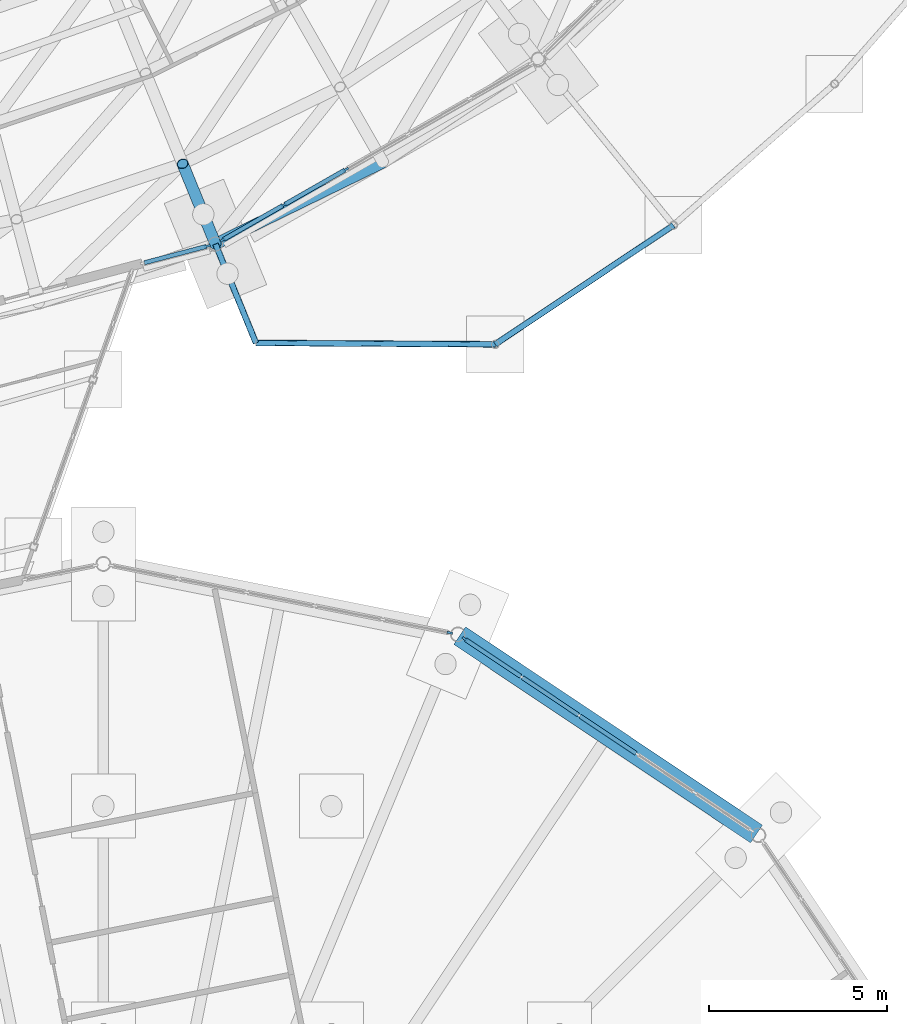
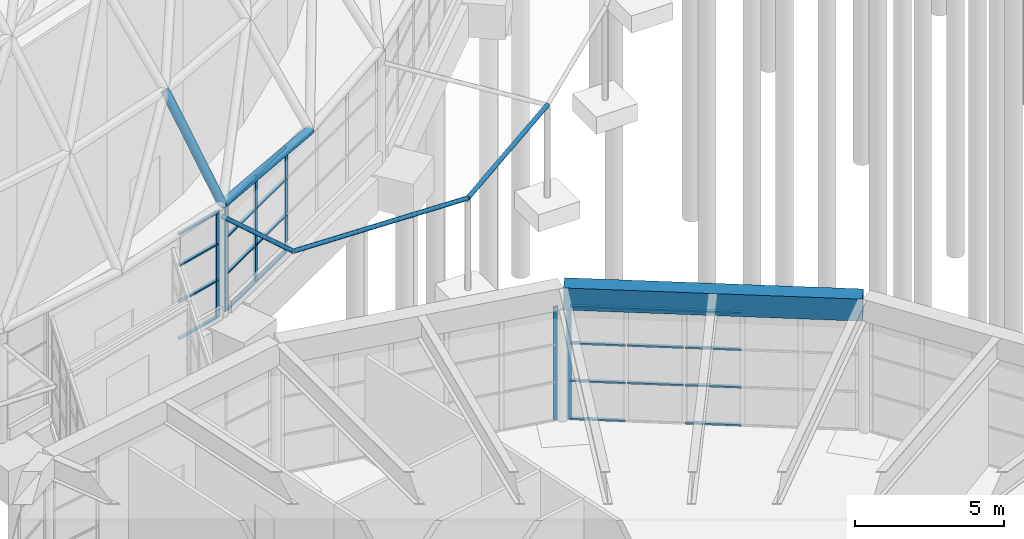
# One storey, part 98 of 226: 34 members, 1 beam, 4 elements without a shape of their own.
"""IFC4 building model written with IfcOpenShell, lengths in metres."""

import ifcopenshell
import ifcopenshell.guid

model = None  # the IFC model being written
_history = None  # IfcOwnerHistory: only IFC2X3 demands one
_inside = {}  # id of a spatial element -> (the spatial element, [elements in it])
_under = {}  # id of a project, library or spatial element -> (it, [spatial elements below it])
_declared = {}  # id of a project -> (the project, [libraries it declares])
_typed = {}  # id of a type object -> (the type object, [elements of that type])
_made_of = {}  # id of a material, layer set ... -> (it, [elements and type objects made of it])


def new_model(schema):
    """Start an empty IFC model of exactly this schema.

    Asked for "IFC4X3", IfcOpenShell would pick the latest addendum, in which some entities
    have other attributes; the version numbers below select the first issue.
    IFC2X3 requires an IfcOwnerHistory on every rooted entity: one is made here for all.
    """
    global model, _history
    if schema == "IFC4X3":
        model = ifcopenshell.file(schema_version=(4, 3, 0, 0))
    else:
        model = ifcopenshell.file(schema=schema)
    _inside.clear()
    _under.clear()
    _declared.clear()
    _typed.clear()
    _made_of.clear()
    _history = None
    if model.schema == "IFC2X3":
        org = make("IfcOrganization", Name="unknown")
        user = make(
            "IfcPersonAndOrganization",
            ThePerson=make("IfcPerson", FamilyName="unknown"),
            TheOrganization=org,
        )
        app = make(
            "IfcApplication",
            ApplicationDeveloper=org,
            Version="unknown",
            ApplicationFullName="unknown",
            ApplicationIdentifier="unknown",
        )
        _history = make(
            "IfcOwnerHistory",
            OwningUser=user,
            OwningApplication=app,
            ChangeAction="ADDED",
            CreationDate=0,
        )
    return model


def make(cls, **values):
    """One entity of the class cls with the attributes given. An attribute that is None is left unset."""
    return model.create_entity(
        cls, **{name: value for name, value in values.items() if value is not None}
    )


def rooted(cls, **values):
    """An entity with a GlobalId (a new one), such as an element, a storey or a relation."""
    return make(cls, GlobalId=ifcopenshell.guid.new(), OwnerHistory=_history, **values)


def si_unit(unit_type, name, prefix=None):
    """IfcSIUnit, for example si_unit("LENGTHUNIT", "METRE", prefix="MILLI")."""
    return make("IfcSIUnit", UnitType=unit_type, Prefix=prefix, Name=name)


def assignment(units):
    """IfcUnitAssignment: the units of a project."""
    return None if units is None else make("IfcUnitAssignment", Units=units)


def point(xyz):
    """IfcCartesianPoint."""
    return None if xyz is None else make("IfcCartesianPoint", Coordinates=xyz)


def direction(xyz):
    """IfcDirection."""
    return None if xyz is None else make("IfcDirection", DirectionRatios=xyz)


def frame(location, z_axis=None, x_axis=None):
    """IfcAxis2Placement3D, a coordinate frame: its origin and axes. An axis left out is left unset."""
    return make(
        "IfcAxis2Placement3D",
        Location=point(location),
        Axis=direction(z_axis),
        RefDirection=direction(x_axis),
    )


def frame_2d(location, x_axis=None):
    """IfcAxis2Placement2D, a coordinate frame in the plane: its origin and x axis."""
    return make(
        "IfcAxis2Placement2D", Location=point(location), RefDirection=direction(x_axis)
    )


def origin():
    """The frame at (0, 0, 0) with its axes left unset."""
    return frame((0.0, 0.0, 0.0))


def origin_2d():
    """The frame at (0, 0) in the plane with its x axis left unset."""
    return frame_2d((0.0, 0.0))


def place(relative_to, where):
    """IfcLocalPlacement: puts the frame where relative to a parent placement (None: the world)."""
    return make(
        "IfcLocalPlacement", PlacementRelTo=relative_to, RelativePlacement=where
    )


def context(
    kind, dimensions, precision=None, world=None, true_north=None, identifier=None
):
    """IfcGeometricRepresentationContext, for example the 3D "Model" context."""
    return make(
        "IfcGeometricRepresentationContext",
        ContextIdentifier=identifier,
        ContextType=kind,
        CoordinateSpaceDimension=dimensions,
        Precision=precision,
        WorldCoordinateSystem=world,
        TrueNorth=true_north,
    )


def subcontext(parent, identifier, kind, view, scale=None):
    """IfcGeometricRepresentationSubContext, for example "Body" below "Model"."""
    return make(
        "IfcGeometricRepresentationSubContext",
        ContextIdentifier=identifier,
        ContextType=kind,
        ParentContext=parent,
        TargetScale=scale,
        TargetView=view,
    )


def project(units=None, contexts=None):
    """IfcProject with its units and contexts."""
    return rooted(
        "IfcProject",
        Name="project",
        RepresentationContexts=contexts,
        UnitsInContext=assignment(units),
    )


def spatial(cls, under=None, at=None, **own):
    """A site, building, storey or space (cls), placed at a placement, below another one or the project."""
    s = rooted(cls, ObjectPlacement=at, **own)
    if under is not None:
        _under.setdefault(under.id(), (under, []))[1].append(s)
    return s


def profile(cls, at=None, kind="AREA", **sizes):
    """A parametric profile (cls). Its sizes go by their IFC names, for example OverallWidth=200.0."""
    return make(cls, ProfileType=kind, Position=at, **sizes)


def rectangle(**sizes):
    """IfcRectangleProfileDef."""
    return profile("IfcRectangleProfileDef", **sizes)


def hollow_circle(**sizes):
    """IfcCircleHollowProfileDef."""
    return profile("IfcCircleHollowProfileDef", **sizes)


def extrude(swept, where, along, depth):
    """IfcExtrudedAreaSolid: the profile swept, set in the frame where, extruded along a direction by depth."""
    return make(
        "IfcExtrudedAreaSolid",
        SweptArea=swept,
        Position=where,
        ExtrudedDirection=direction(along),
        Depth=depth,
    )


def shape(context_of_items, identifier, shape_type, items):
    """IfcShapeRepresentation: the items that make up one representation, for example the "Body"."""
    return make(
        "IfcShapeRepresentation",
        ContextOfItems=context_of_items,
        RepresentationIdentifier=identifier,
        RepresentationType=shape_type,
        Items=items,
    )


def material(Name=None, Category=None):
    """IfcMaterial."""
    return make("IfcMaterial", Name=Name, Category=Category)


def material_profile(
    of_material, cross_section, Name=None, Category=None, Priority=None
):
    """IfcMaterialProfile: a cross section and its material."""
    return make(
        "IfcMaterialProfile",
        Name=Name,
        Material=of_material,
        Profile=cross_section,
        Priority=Priority,
        Category=Category,
    )


def profile_set(profiles, Name=None, composite=None):
    """IfcMaterialProfileSet."""
    return make(
        "IfcMaterialProfileSet",
        Name=Name,
        MaterialProfiles=profiles,
        CompositeProfile=composite,
    )


def made_of(thing, what):
    """Note that an element or type object is made of a material, layer set ...; save() writes the relation."""
    if what is not None:
        _made_of.setdefault(what.id(), (what, []))[1].append(thing)
    return thing


def type_object(cls, material=None, **own):
    """A type object (cls), such as IfcWallType, which elements share."""
    return made_of(rooted(cls, **own), material)


def element(
    cls,
    number,
    at=None,
    inside=None,
    cuts=None,
    type_object=None,
    material=None,
    context=None,
    identifier="Body",
    shape_type=None,
    held_by="IfcProductDefinitionShape",
    body=None,
    shapes=None,
    **own,
):
    """One element of the class cls, such as IfcWall. Its Tag is "e" and its number.

    at: its placement. inside: the storey or other place that contains it. cuts: it is an
    opening in that element (IfcRelVoidsElement). A single representation is given by context,
    identifier, shape_type and body (its items); several are given by shapes. held_by: the class
    of the entity that holds the representations. save() writes the other relations.
    """
    e = rooted(cls, Tag="e%d" % number, ObjectPlacement=at, **own)
    if body is not None:
        shapes = [shape(context, identifier, shape_type, body)]
    if shapes is not None:
        e.Representation = make(held_by, Representations=shapes)
    if inside is not None:
        _inside.setdefault(inside.id(), (inside, []))[1].append(e)
    if cuts is not None:
        rooted(
            "IfcRelVoidsElement", RelatingBuildingElement=cuts, RelatedOpeningElement=e
        )
    if type_object is not None:
        _typed.setdefault(type_object.id(), (type_object, []))[1].append(e)
    return made_of(e, material)


def aggregate(whole, parts):
    """IfcRelAggregates: a whole, such as a stair, and the parts it consists of."""
    return rooted("IfcRelAggregates", RelatingObject=whole, RelatedObjects=parts)


def save(model, path):
    """Write the relations noted so far, then the file.

    IfcRelAggregates (storeys below a building ...), IfcRelContainedInSpatialStructure (elements
    in a storey), IfcRelDefinesByType, IfcRelAssociatesMaterial and IfcRelDeclares: one each for
    every whole, place, type object, material and project.
    """
    for whole, parts in _under.values():
        aggregate(whole, parts)
    for where, things in _inside.values():
        rooted(
            "IfcRelContainedInSpatialStructure",
            RelatedElements=things,
            RelatingStructure=where,
        )
    for kind, things in _typed.values():
        rooted("IfcRelDefinesByType", RelatedObjects=things, RelatingType=kind)
    for what, things in _made_of.values():
        rooted("IfcRelAssociatesMaterial", RelatedObjects=things, RelatingMaterial=what)
    for by, libraries in _declared.values():
        rooted("IfcRelDeclares", RelatingContext=by, RelatedDefinitions=libraries)
    model.write(path)


model = new_model("IFC4")

# Units and contexts
model_context = context("Model", 3, precision=1e-05, world=origin(), true_north=direction((0.0, 1.0)))
body_context = subcontext(model_context, "Body", "Model", "MODEL_VIEW")
ifc_project = project(units=[si_unit("LENGTHUNIT", "METRE"), si_unit("AREAUNIT", "SQUARE_METRE"), si_unit("VOLUMEUNIT", "CUBIC_METRE"), si_unit("PLANEANGLEUNIT", "RADIAN"), si_unit("MASSUNIT", "GRAM", prefix="KILO")], contexts=[model_context])

# Site, building, storey
site_placement = place(None, origin())
site = spatial("IfcSite", under=ifc_project, at=site_placement, CompositionType="ELEMENT")
building_placement = place(site_placement, origin())
building = spatial("IfcBuilding", under=site, at=building_placement, Name="Ceibo Conservatory and Research Tower", CompositionType="ELEMENT")
storey_placement = place(building_placement, origin())
storey = spatial("IfcBuildingStorey", under=building, at=storey_placement, Name="L00", CompositionType="ELEMENT", Elevation=0.0)

# Members
ifc_material_1 = material(Name="Steel ASTM A500 Gr C", Category="steel")
ifc_material_profile_1 = material_profile(ifc_material_1, hollow_circle(Radius=0.084228515625, WallThickness=0.007080078125, at=origin_2d()), Name="CHS 168.3x7.11")
ifc_profile_set_1 = profile_set([ifc_material_profile_1], Name="Steel ASTM A500 Gr C")
member_type_1 = type_object("IfcMemberType", Name="CHS 168.3x7.11", PredefinedType="NOTDEFINED", material=ifc_profile_set_1)
member_1_placement = place(storey_placement, frame((171.14599609375, 70.978271484375, 4.0), z_axis=(0.378270157158, -0.924579088193, -0.045444448281), x_axis=(0.925535288892, 0.378661364567, 0.0)))
element("IfcMember", 1, at=member_1_placement, inside=storey, type_object=member_type_1, Name="Brim brace bracket A-BK20", PredefinedType="BRACE", context=body_context, shape_type="SweptSolid", body=[
    extrude(hollow_circle(Radius=0.084228515625, WallThickness=0.007080078125, at=origin_2d()), origin(), (0.0, 0.0, 1.0), 3.003173828125),
])
member_2_placement = place(storey_placement, frame((172.281982421875, 68.20166015625, 3.863525390625), z_axis=(0.999714640549, -0.005776597298, -0.023179050793), x_axis=(0.005778149715, 0.999983306354, 0.0)))
element("IfcMember", 2, at=member_2_placement, inside=storey, type_object=member_type_1, Name="Brim tip ring A-TR22", PredefinedType="CHORD", context=body_context, shape_type="SweptSolid", body=[
    extrude(hollow_circle(Radius=0.084228515625, WallThickness=0.007080078125, at=origin_2d()), origin(), (0.0, 0.0, 1.0), 6.719970703125),
])
member_3_placement = place(storey_placement, frame((179.0, 68.162841796875, 3.707763671875), z_axis=(0.831452532563, 0.555586547354, 0.003205385032), x_axis=(-0.555589401562, 0.831456803973, 0.0)))
element("IfcMember", 3, at=member_3_placement, inside=storey, type_object=member_type_1, Name="Brim tip ring A-TR23", PredefinedType="CHORD", context=body_context, shape_type="SweptSolid", body=[
    extrude(hollow_circle(Radius=0.084228515625, WallThickness=0.007080078125, at=origin_2d()), origin(), (0.0, 0.0, 1.0), 6.01708984375),
])
ifc_material_profile_2 = material_profile(ifc_material_1, hollow_circle(Radius=0.161865234375, WallThickness=0.01416015625, at=origin_2d()), Name="CHS 323.9x14.27")
ifc_profile_set_2 = profile_set([ifc_material_profile_2], Name="Steel ASTM A500 Gr C")
member_type_2 = type_object("IfcMemberType", Name="CHS 323.9x14.27", PredefinedType="NOTDEFINED", material=ifc_profile_set_2)
member_4_placement = place(storey_placement, frame((171.14599609375, 70.97802734375, 4.5), z_axis=(-0.211463901596, 0.517011318733, 0.829446993257), x_axis=(-0.925572506321, -0.378570383868, 0.0)))
element("IfcMember", 4, at=member_4_placement, inside=storey, type_object=member_type_2, Name="Gridshell member A-M39-01", PredefinedType="RAFTER", context=body_context, shape_type="SweptSolid", body=[
    extrude(hollow_circle(Radius=0.161865234375, WallThickness=0.01416015625, at=origin_2d()), origin(), (0.0, 0.0, 1.0), 4.359375),
])
ifc_material_2 = material(Name="Steel S355J2H", Category="steel")
ifc_material_profile_3 = material_profile(ifc_material_2, hollow_circle(Radius=0.161865234375, WallThickness=0.025390625, at=origin_2d()), Name="CHS 323.9x25.40")
ifc_profile_set_3 = profile_set([ifc_material_profile_3], Name="Steel S355J2H")
member_type_3 = type_object("IfcMemberType", Name="CHS 323.9x25.40", PredefinedType="NOTDEFINED", material=ifc_profile_set_3)
member_5_placement = place(storey_placement, frame((171.14599609375, 70.97802734375, 4.5), z_axis=(0.898788174479, 0.4383831856, 0.0), x_axis=(-0.4383831856, 0.898788174479, 0.0)))
element("IfcMember", 5, at=member_5_placement, inside=storey, type_object=member_type_3, Name="Gridshell member A-C01-39", PredefinedType="CHORD", context=body_context, shape_type="SweptSolid", body=[
    extrude(hollow_circle(Radius=0.161865234375, WallThickness=0.025390625, at=origin_2d()), origin(), (0.0, 0.0, 1.0), 5.232666015625),
])

# Curtain wall, member
ifc_material_3 = material(Name="Aluminium and glass", Category="aluminium")
curtain_wall_type_1 = type_object("IfcCurtainWallType", Name="Drum curtain wall", PredefinedType="NOTDEFINED", material=ifc_material_3)
curtain_wall_1_placement = place(storey_placement, origin())
curtain_wall_1 = element("IfcCurtainWall", 6, at=curtain_wall_1_placement, inside=storey, type_object=curtain_wall_type_1, Name="Drum curtain wall A-CW19E", PredefinedType="NOTDEFINED")
ifc_material_4 = material(Name="Aluminium", Category="aluminium")
ifc_material_profile_4 = material_profile(ifc_material_4, rectangle(XDim=0.06005859375, YDim=0.159912109375, at=origin_2d()), Name="AL 60x160")
ifc_profile_set_4 = profile_set([ifc_material_profile_4], Name="Aluminium")
member_type_4 = type_object("IfcMemberType", Name="Drum mullion 60x160", PredefinedType="MULLION", material=ifc_profile_set_4)
member_6_placement = place(storey_placement, frame((170.92041015625, 70.9189453125, 0.0), z_axis=(0.0, 0.0, 1.0), x_axis=(-0.254601962062, 0.967045935266, 0.0)))
member_6 = element("IfcMember", 7, at=member_6_placement, type_object=member_type_4, Name="A-CW19E mullion 2", PredefinedType="MULLION", context=body_context, shape_type="SweptSolid", body=[
    extrude(rectangle(XDim=0.06005859375, YDim=0.159912109375, at=origin_2d()), origin(), (0.0, 0.0, 1.0), 4.338134765625),
])

# Curtain wall, members
curtain_wall_2_placement = place(storey_placement, origin())
curtain_wall_2 = element("IfcCurtainWall", 8, at=curtain_wall_2_placement, inside=storey, type_object=curtain_wall_type_1, Name="Drum curtain wall A-CW20", PredefinedType="NOTDEFINED")
member_7_placement = place(storey_placement, frame((171.348388671875, 71.093994140625, 0.0), z_axis=(0.0, 0.0, 1.0), x_axis=(-0.49621649228, 0.868198821002, 0.0)))
member_7 = element("IfcMember", 9, at=member_7_placement, type_object=member_type_4, Name="A-CW20 mullion 1", PredefinedType="MULLION", context=body_context, shape_type="SweptSolid", body=[
    extrude(rectangle(XDim=0.06005859375, YDim=0.159912109375, at=origin_2d()), origin(), (0.0, 0.0, 1.0), 4.338134765625),
])
member_8_placement = place(storey_placement, frame((173.06494140625, 72.0751953125, 0.0), z_axis=(0.0, 0.0, 1.0), x_axis=(-0.49621649228, 0.868198821002, 0.0)))
member_8 = element("IfcMember", 10, at=member_8_placement, type_object=member_type_4, Name="A-CW20 mullion 2", PredefinedType="MULLION", context=body_context, shape_type="SweptSolid", body=[
    extrude(rectangle(XDim=0.06005859375, YDim=0.159912109375, at=origin_2d()), origin(), (0.0, 0.0, 1.0), 4.338134765625),
])
member_9_placement = place(storey_placement, frame((174.8076171875, 73.071044921875, 0.0), z_axis=(0.0, 0.0, 1.0), x_axis=(-0.49621649228, 0.868198821002, 0.0)))
member_9 = element("IfcMember", 11, at=member_9_placement, type_object=member_type_4, Name="A-CW20 mullion 3", PredefinedType="MULLION", context=body_context, shape_type="SweptSolid", body=[
    extrude(rectangle(XDim=0.06005859375, YDim=0.159912109375, at=origin_2d()), origin(), (0.0, 0.0, 1.0), 4.338134765625),
])

# Member
ifc_material_profile_5 = material_profile(ifc_material_4, rectangle(XDim=0.1201171875, YDim=0.06005859375, at=origin_2d()), Name="AL 60x120")
ifc_profile_set_5 = profile_set([ifc_material_profile_5], Name="Aluminium")
member_type_5 = type_object("IfcMemberType", Name="Drum transom 60x120", PredefinedType="USERDEFINED", material=ifc_profile_set_5)
member_10_placement = place(storey_placement, frame((169.1484375, 70.452392578125, 0.030029296875), z_axis=(0.967030657146, 0.254659985353, 0.0), x_axis=(-0.254659985353, 0.967030657146, 0.0)))
member_10 = element("IfcMember", 12, at=member_10_placement, type_object=member_type_5, Name="A-CW19E transom 1.1", ObjectType="TRANSOM", PredefinedType="USERDEFINED", context=body_context, shape_type="SweptSolid", body=[
    extrude(rectangle(XDim=0.1201171875, YDim=0.06005859375, at=origin_2d()), origin(), (0.0, 0.0, 1.0), 1.80224609375),
])

member_11_placement = place(storey_placement, frame((169.1484375, 70.452392578125, 1.530029296875), z_axis=(0.967030657146, 0.254659985353, 0.0), x_axis=(-0.254659985353, 0.967030657146, 0.0)))
member_11 = element("IfcMember", 13, at=member_11_placement, type_object=member_type_5, Name="A-CW19E transom 1.2", ObjectType="TRANSOM", PredefinedType="USERDEFINED", context=body_context, shape_type="SweptSolid", body=[
    extrude(rectangle(XDim=0.1201171875, YDim=0.06005859375, at=origin_2d()), origin(), (0.0, 0.0, 1.0), 1.80224609375),
])

member_12_placement = place(storey_placement, frame((169.1484375, 70.452392578125, 3.014892578125), z_axis=(0.967030657146, 0.254659985353, 0.0), x_axis=(-0.254659985353, 0.967030657146, 0.0)))
member_12 = element("IfcMember", 14, at=member_12_placement, type_object=member_type_5, Name="A-CW19E transom 1.3", ObjectType="TRANSOM", PredefinedType="USERDEFINED", context=body_context, shape_type="SweptSolid", body=[
    extrude(rectangle(XDim=0.1201171875, YDim=0.06005859375, at=origin_2d()), origin(), (0.0, 0.0, 1.0), 1.80224609375),
])

member_13_placement = place(storey_placement, frame((169.1484375, 70.452392578125, 4.30810546875), z_axis=(0.967030657146, 0.254659985353, 0.0), x_axis=(-0.254659985353, 0.967030657146, 0.0)))
member_13 = element("IfcMember", 15, at=member_13_placement, type_object=member_type_5, Name="A-CW19E transom 1.4", ObjectType="TRANSOM", PredefinedType="USERDEFINED", context=body_context, shape_type="SweptSolid", body=[
    extrude(rectangle(XDim=0.1201171875, YDim=0.06005859375, at=origin_2d()), origin(), (0.0, 0.0, 1.0), 1.80224609375),
])

aggregate(curtain_wall_1, [member_6, member_10, member_11, member_12, member_13])

member_14_placement = place(storey_placement, frame((171.37451171875, 71.10888671875, 0.030029296875), z_axis=(0.868156921675, 0.496289793717, 0.0), x_axis=(-0.496289793717, 0.868156921675, 0.0)))
member_14 = element("IfcMember", 16, at=member_14_placement, type_object=member_type_5, Name="A-CW20 transom 1.1", ObjectType="TRANSOM", PredefinedType="USERDEFINED", context=body_context, shape_type="SweptSolid", body=[
    extrude(rectangle(XDim=0.1201171875, YDim=0.06005859375, at=origin_2d()), origin(), (0.0, 0.0, 1.0), 1.9169921875),
])

member_15_placement = place(storey_placement, frame((171.37451171875, 71.10888671875, 1.530029296875), z_axis=(0.868156921675, 0.496289793717, 0.0), x_axis=(-0.496289793717, 0.868156921675, 0.0)))
member_15 = element("IfcMember", 17, at=member_15_placement, type_object=member_type_5, Name="A-CW20 transom 1.2", ObjectType="TRANSOM", PredefinedType="USERDEFINED", context=body_context, shape_type="SweptSolid", body=[
    extrude(rectangle(XDim=0.1201171875, YDim=0.06005859375, at=origin_2d()), origin(), (0.0, 0.0, 1.0), 1.9169921875),
])

member_16_placement = place(storey_placement, frame((171.37451171875, 71.10888671875, 3.014892578125), z_axis=(0.868156921675, 0.496289793717, 0.0), x_axis=(-0.496289793717, 0.868156921675, 0.0)))
member_16 = element("IfcMember", 18, at=member_16_placement, type_object=member_type_5, Name="A-CW20 transom 1.3", ObjectType="TRANSOM", PredefinedType="USERDEFINED", context=body_context, shape_type="SweptSolid", body=[
    extrude(rectangle(XDim=0.1201171875, YDim=0.06005859375, at=origin_2d()), origin(), (0.0, 0.0, 1.0), 1.9169921875),
])

member_17_placement = place(storey_placement, frame((171.37451171875, 71.10888671875, 4.30810546875), z_axis=(0.868156921675, 0.496289793717, 0.0), x_axis=(-0.496289793717, 0.868156921675, 0.0)))
member_17 = element("IfcMember", 19, at=member_17_placement, type_object=member_type_5, Name="A-CW20 transom 1.4", ObjectType="TRANSOM", PredefinedType="USERDEFINED", context=body_context, shape_type="SweptSolid", body=[
    extrude(rectangle(XDim=0.1201171875, YDim=0.06005859375, at=origin_2d()), origin(), (0.0, 0.0, 1.0), 1.9169921875),
])

member_18_placement = place(storey_placement, frame((173.091064453125, 72.090087890625, 0.030029296875), z_axis=(0.868165971604, 0.496273962393, 0.0), x_axis=(-0.496273962393, 0.868165971604, 0.0)))
member_18 = element("IfcMember", 20, at=member_18_placement, type_object=member_type_5, Name="A-CW20 transom 2.1", ObjectType="TRANSOM", PredefinedType="USERDEFINED", context=body_context, shape_type="SweptSolid", body=[
    extrude(rectangle(XDim=0.1201171875, YDim=0.06005859375, at=origin_2d()), origin(), (0.0, 0.0, 1.0), 1.947021484375),
])

member_19_placement = place(storey_placement, frame((173.091064453125, 72.090087890625, 1.530029296875), z_axis=(0.868165971604, 0.496273962393, 0.0), x_axis=(-0.496273962393, 0.868165971604, 0.0)))
member_19 = element("IfcMember", 21, at=member_19_placement, type_object=member_type_5, Name="A-CW20 transom 2.2", ObjectType="TRANSOM", PredefinedType="USERDEFINED", context=body_context, shape_type="SweptSolid", body=[
    extrude(rectangle(XDim=0.1201171875, YDim=0.06005859375, at=origin_2d()), origin(), (0.0, 0.0, 1.0), 1.947021484375),
])

member_20_placement = place(storey_placement, frame((173.091064453125, 72.090087890625, 3.014892578125), z_axis=(0.868165971604, 0.496273962393, 0.0), x_axis=(-0.496273962393, 0.868165971604, 0.0)))
member_20 = element("IfcMember", 22, at=member_20_placement, type_object=member_type_5, Name="A-CW20 transom 2.3", ObjectType="TRANSOM", PredefinedType="USERDEFINED", context=body_context, shape_type="SweptSolid", body=[
    extrude(rectangle(XDim=0.1201171875, YDim=0.06005859375, at=origin_2d()), origin(), (0.0, 0.0, 1.0), 1.947021484375),
])

member_21_placement = place(storey_placement, frame((173.091064453125, 72.090087890625, 4.30810546875), z_axis=(0.868165971604, 0.496273962393, 0.0), x_axis=(-0.496273962393, 0.868165971604, 0.0)))
member_21 = element("IfcMember", 23, at=member_21_placement, type_object=member_type_5, Name="A-CW20 transom 2.4", ObjectType="TRANSOM", PredefinedType="USERDEFINED", context=body_context, shape_type="SweptSolid", body=[
    extrude(rectangle(XDim=0.1201171875, YDim=0.06005859375, at=origin_2d()), origin(), (0.0, 0.0, 1.0), 1.947021484375),
])

aggregate(curtain_wall_2, [member_7, member_8, member_9, member_14, member_15, member_16, member_17, member_18, member_19, member_20, member_21])

# Curtain wall, member
curtain_wall_type_2 = type_object("IfcCurtainWallType", Name="Pavilion curtain wall", PredefinedType="NOTDEFINED", material=ifc_material_3)
curtain_wall_3_placement = place(storey_placement, origin())
curtain_wall_3 = element("IfcCurtainWall", 24, at=curtain_wall_3_placement, inside=storey, type_object=curtain_wall_type_2, Name="Pavilion curtain wall VC-CW03", PredefinedType="NOTDEFINED")
ifc_material_profile_6 = material_profile(ifc_material_4, rectangle(XDim=0.06005859375, YDim=0.159912109375, at=origin_2d()), Name="AL 60x160")
ifc_profile_set_6 = profile_set([ifc_material_profile_6], Name="Aluminium")
member_type_6 = type_object("IfcMemberType", Name="Pavilion mullion 60x160", PredefinedType="MULLION", material=ifc_profile_set_6)
member_22_placement = place(storey_placement, frame((178.1435546875, 59.891357421875, 0.0), z_axis=(0.0, 0.0, 1.0), x_axis=(-0.555570267906, -0.831469588992, 0.0)))
member_22 = element("IfcMember", 25, at=member_22_placement, type_object=member_type_6, Name="VC-CW03 mullion 6", PredefinedType="MULLION", context=body_context, shape_type="SweptSolid", body=[
    extrude(rectangle(XDim=0.06005859375, YDim=0.159912109375, at=origin_2d()), origin(), (0.0, 0.0, 1.0), 4.64892578125),
])

curtain_wall_4_placement = place(storey_placement, origin())
curtain_wall_4 = element("IfcCurtainWall", 26, at=curtain_wall_4_placement, inside=storey, type_object=curtain_wall_type_2, Name="Pavilion curtain wall VC-CW04", PredefinedType="NOTDEFINED")
member_23_placement = place(storey_placement, frame((177.720947265625, 60.06640625, 0.0), z_axis=(0.0, 0.0, 1.0), x_axis=(-0.195090311899, -0.980785282416, 0.0)))
member_23 = element("IfcMember", 27, at=member_23_placement, type_object=member_type_6, Name="VC-CW04 mullion 1", PredefinedType="MULLION", context=body_context, shape_type="SweptSolid", body=[
    extrude(rectangle(XDim=0.06005859375, YDim=0.159912109375, at=origin_2d()), origin(), (0.0, 0.0, 1.0), 4.64892578125),
])
aggregate(curtain_wall_4, [member_23])

# Member
ifc_material_profile_7 = material_profile(ifc_material_4, rectangle(XDim=0.1201171875, YDim=0.06005859375, at=origin_2d()), Name="AL 60x120")
ifc_profile_set_7 = profile_set([ifc_material_profile_7], Name="Aluminium")
member_type_7 = type_object("IfcMemberType", Name="Pavilion transom 60x120", PredefinedType="USERDEFINED", material=ifc_profile_set_7)
member_24_placement = place(storey_placement, frame((182.9521484375, 56.678466796875, 0.030029296875), z_axis=(-0.831452911845, 0.555595226207, 0.0), x_axis=(-0.555595226207, -0.831452911845, 0.0)))
member_24 = element("IfcMember", 28, at=member_24_placement, type_object=member_type_7, Name="VC-CW03 transom 3.1", ObjectType="TRANSOM", PredefinedType="USERDEFINED", context=body_context, shape_type="SweptSolid", body=[
    extrude(rectangle(XDim=0.1201171875, YDim=0.06005859375, at=origin_2d()), origin(), (0.0, 0.0, 1.0), 1.8876953125),
])

member_25_placement = place(storey_placement, frame((182.9521484375, 56.678466796875, 1.5810546875), z_axis=(-0.831452911845, 0.555595226207, 0.0), x_axis=(-0.555595226207, -0.831452911845, 0.0)))
member_25 = element("IfcMember", 29, at=member_25_placement, type_object=member_type_7, Name="VC-CW03 transom 3.2", ObjectType="TRANSOM", PredefinedType="USERDEFINED", context=body_context, shape_type="SweptSolid", body=[
    extrude(rectangle(XDim=0.1201171875, YDim=0.06005859375, at=origin_2d()), origin(), (0.0, 0.0, 1.0), 1.8876953125),
])

member_26_placement = place(storey_placement, frame((182.9521484375, 56.678466796875, 3.114990234375), z_axis=(-0.831452911845, 0.555595226207, 0.0), x_axis=(-0.555595226207, -0.831452911845, 0.0)))
member_26 = element("IfcMember", 30, at=member_26_placement, type_object=member_type_7, Name="VC-CW03 transom 3.3", ObjectType="TRANSOM", PredefinedType="USERDEFINED", context=body_context, shape_type="SweptSolid", body=[
    extrude(rectangle(XDim=0.1201171875, YDim=0.06005859375, at=origin_2d()), origin(), (0.0, 0.0, 1.0), 1.8876953125),
])

member_27_placement = place(storey_placement, frame((182.9521484375, 56.678466796875, 4.618896484375), z_axis=(-0.831452911845, 0.555595226207, 0.0), x_axis=(-0.555595226207, -0.831452911845, 0.0)))
member_27 = element("IfcMember", 31, at=member_27_placement, type_object=member_type_7, Name="VC-CW03 transom 3.4", ObjectType="TRANSOM", PredefinedType="USERDEFINED", context=body_context, shape_type="SweptSolid", body=[
    extrude(rectangle(XDim=0.1201171875, YDim=0.06005859375, at=origin_2d()), origin(), (0.0, 0.0, 1.0), 1.8876953125),
])

member_28_placement = place(storey_placement, frame((181.33251953125, 57.760498046875, 1.5810546875), z_axis=(-0.831412983501, 0.555654974661, 0.0), x_axis=(-0.555654974661, -0.831412983501, 0.0)))
member_28 = element("IfcMember", 32, at=member_28_placement, type_object=member_type_7, Name="VC-CW03 transom 4.2", ObjectType="TRANSOM", PredefinedType="USERDEFINED", context=body_context, shape_type="SweptSolid", body=[
    extrude(rectangle(XDim=0.1201171875, YDim=0.06005859375, at=origin_2d()), origin(), (0.0, 0.0, 1.0), 1.887451171875),
])

member_29_placement = place(storey_placement, frame((181.33251953125, 57.760498046875, 3.114990234375), z_axis=(-0.831412983501, 0.555654974661, 0.0), x_axis=(-0.555654974661, -0.831412983501, 0.0)))
member_29 = element("IfcMember", 33, at=member_29_placement, type_object=member_type_7, Name="VC-CW03 transom 4.3", ObjectType="TRANSOM", PredefinedType="USERDEFINED", context=body_context, shape_type="SweptSolid", body=[
    extrude(rectangle(XDim=0.1201171875, YDim=0.06005859375, at=origin_2d()), origin(), (0.0, 0.0, 1.0), 1.887451171875),
])

member_30_placement = place(storey_placement, frame((181.33251953125, 57.760498046875, 4.618896484375), z_axis=(-0.831412983501, 0.555654974661, 0.0), x_axis=(-0.555654974661, -0.831412983501, 0.0)))
member_30 = element("IfcMember", 34, at=member_30_placement, type_object=member_type_7, Name="VC-CW03 transom 4.4", ObjectType="TRANSOM", PredefinedType="USERDEFINED", context=body_context, shape_type="SweptSolid", body=[
    extrude(rectangle(XDim=0.1201171875, YDim=0.06005859375, at=origin_2d()), origin(), (0.0, 0.0, 1.0), 1.887451171875),
])

member_31_placement = place(storey_placement, frame((179.713134765625, 58.842529296875, 0.030029296875), z_axis=(-0.831402706574, 0.555670351469, 0.0), x_axis=(-0.555670351469, -0.831402706574, 0.0)))
member_31 = element("IfcMember", 35, at=member_31_placement, type_object=member_type_7, Name="VC-CW03 transom 5.1", ObjectType="TRANSOM", PredefinedType="USERDEFINED", context=body_context, shape_type="SweptSolid", body=[
    extrude(rectangle(XDim=0.1201171875, YDim=0.06005859375, at=origin_2d()), origin(), (0.0, 0.0, 1.0), 1.857666015625),
])

member_32_placement = place(storey_placement, frame((179.713134765625, 58.842529296875, 1.5810546875), z_axis=(-0.831402706574, 0.555670351469, 0.0), x_axis=(-0.555670351469, -0.831402706574, 0.0)))
member_32 = element("IfcMember", 36, at=member_32_placement, type_object=member_type_7, Name="VC-CW03 transom 5.2", ObjectType="TRANSOM", PredefinedType="USERDEFINED", context=body_context, shape_type="SweptSolid", body=[
    extrude(rectangle(XDim=0.1201171875, YDim=0.06005859375, at=origin_2d()), origin(), (0.0, 0.0, 1.0), 1.857666015625),
])

member_33_placement = place(storey_placement, frame((179.713134765625, 58.842529296875, 3.114990234375), z_axis=(-0.831402706574, 0.555670351469, 0.0), x_axis=(-0.555670351469, -0.831402706574, 0.0)))
member_33 = element("IfcMember", 37, at=member_33_placement, type_object=member_type_7, Name="VC-CW03 transom 5.3", ObjectType="TRANSOM", PredefinedType="USERDEFINED", context=body_context, shape_type="SweptSolid", body=[
    extrude(rectangle(XDim=0.1201171875, YDim=0.06005859375, at=origin_2d()), origin(), (0.0, 0.0, 1.0), 1.857666015625),
])

member_34_placement = place(storey_placement, frame((179.713134765625, 58.842529296875, 4.618896484375), z_axis=(-0.831402706574, 0.555670351469, 0.0), x_axis=(-0.555670351469, -0.831402706574, 0.0)))
member_34 = element("IfcMember", 38, at=member_34_placement, type_object=member_type_7, Name="VC-CW03 transom 5.4", ObjectType="TRANSOM", PredefinedType="USERDEFINED", context=body_context, shape_type="SweptSolid", body=[
    extrude(rectangle(XDim=0.1201171875, YDim=0.06005859375, at=origin_2d()), origin(), (0.0, 0.0, 1.0), 1.857666015625),
])

aggregate(curtain_wall_3, [member_22, member_24, member_25, member_26, member_27, member_28, member_29, member_30, member_31, member_32, member_33, member_34])

# Beam
ifc_material_5 = material(Name="Concrete C35/45", Category="concrete")
ifc_material_profile_8 = material_profile(ifc_material_5, rectangle(XDim=0.60009765625, YDim=0.89990234375, at=origin_2d()), Name="RC 600x900")
ifc_profile_set_8 = profile_set([ifc_material_profile_8], Name="Concrete C35/45")
beam_type = type_object("IfcBeamType", Name="RC ring beam 600x900", PredefinedType="BEAM", material=ifc_profile_set_8)
beam_placement = place(storey_placement, frame((186.33349609375, 54.4189453125, 5.09912109375), z_axis=(-0.831468902331, 0.555571295566, 0.0), x_axis=(-0.555571295566, -0.831468902331, 0.0)))
element("IfcBeam", 39, at=beam_placement, inside=storey, type_object=beam_type, Name="Pavilion ring beam VC-RB03", PredefinedType="BEAM", context=body_context, shape_type="SweptSolid", body=[
    extrude(rectangle(XDim=0.60009765625, YDim=0.89990234375, at=origin_2d()), origin(), (0.0, 0.0, 1.0), 10.021484375),
])

save(model, "model.ifc")
